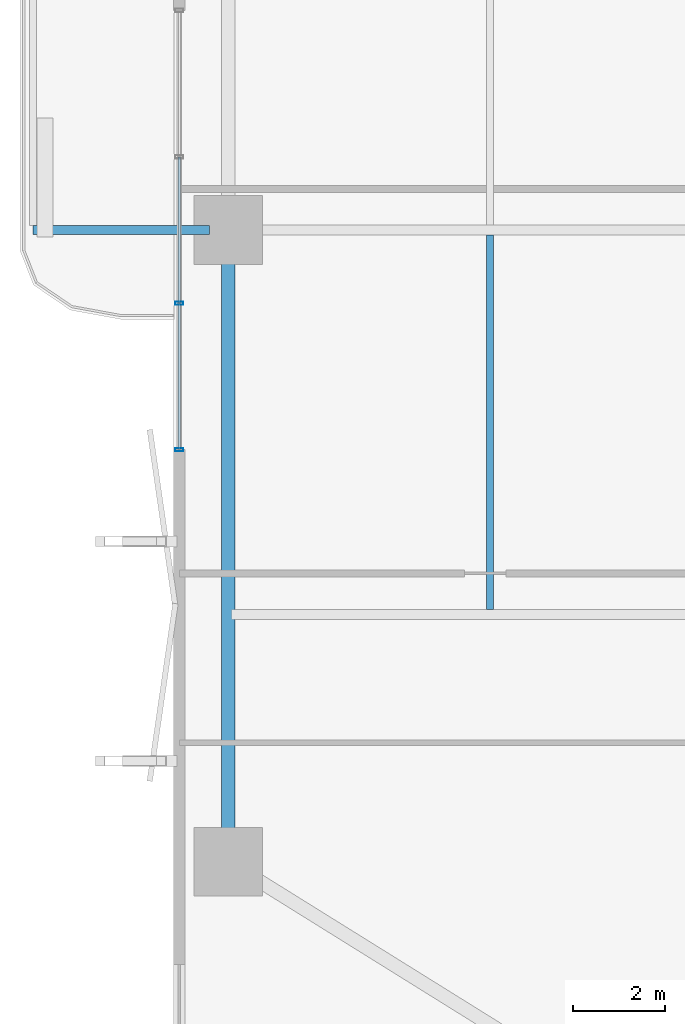
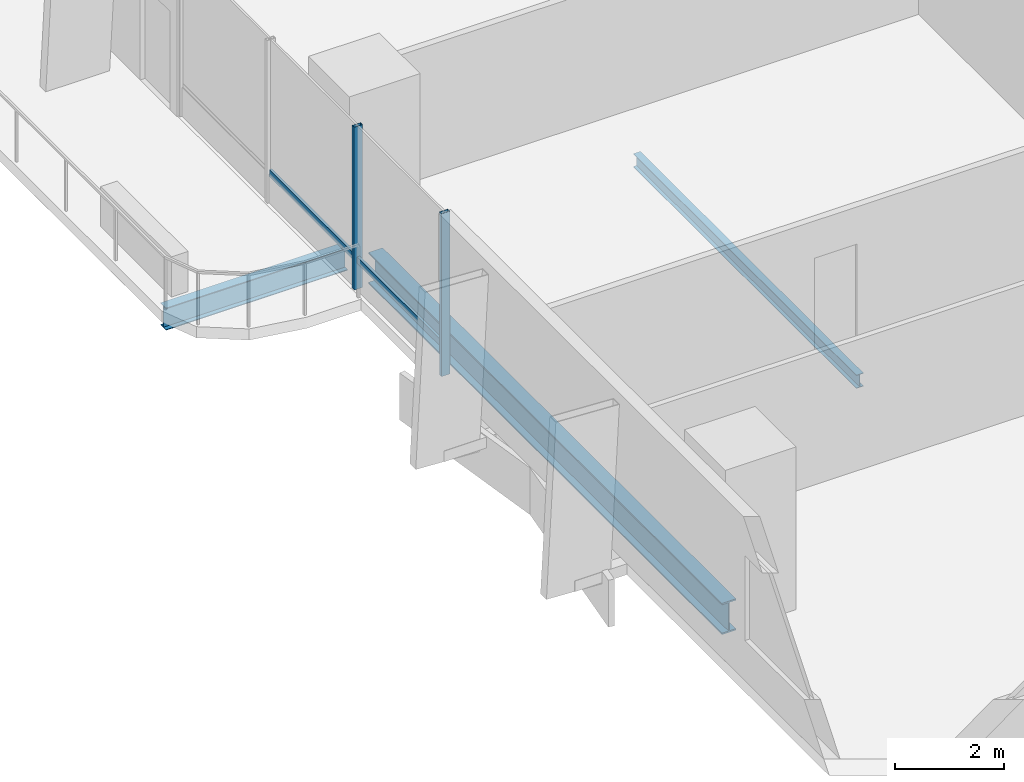
# One storey, part 4 of 23: 4 members, 3 beams, 1 element without a shape of its own.
"""IFC4 building model written with IfcOpenShell, lengths in metres."""

from ifc_helpers import new_model, si_unit, direction, frame, origin, origin_2d, place, context, subcontext, project, spatial, hollow_rectangle, i_section, extrude, material, layer, layer_set, material_profile, profile_set, type_object, element, aggregate, save


model = new_model("IFC4")

# Units and contexts
model_context = context("Model", 3, precision=1e-05, world=origin(), true_north=direction((0.0, 1.0)))
body_context = subcontext(model_context, "Body", "Model", "MODEL_VIEW")
ifc_project = project(units=[si_unit("LENGTHUNIT", "METRE"), si_unit("AREAUNIT", "SQUARE_METRE"), si_unit("VOLUMEUNIT", "CUBIC_METRE"), si_unit("PLANEANGLEUNIT", "RADIAN"), si_unit("MASSUNIT", "GRAM", prefix="KILO")], contexts=[model_context])

# Site, building, storey
site_placement = place(None, origin())
site = spatial("IfcSite", under=ifc_project, at=site_placement, CompositionType="ELEMENT")
building_placement = place(site_placement, origin())
building = spatial("IfcBuilding", under=site, at=building_placement, Name="Belovzor Exchange Tower", CompositionType="ELEMENT")
storey_placement = place(building_placement, frame((0.0, 0.0, 76.800048828125)))
storey = spatial("IfcBuildingStorey", under=building, at=storey_placement, Name="L18", CompositionType="ELEMENT", Elevation=76.800048828125)

# Beams
ifc_material_1 = material(Name="Steel S355", Category="steel")
ifc_material_profile_1 = material_profile(ifc_material_1, i_section(OverallWidth=0.199951171875, OverallDepth=0.5, WebThickness=0.01025390625, FlangeThickness=0.01611328125, at=origin_2d()))
ifc_profile_set_1 = profile_set([ifc_material_profile_1], Name="Steel S355")
beam_type_1 = type_object("IfcBeamType", Name="Planted Balcony Cantilever Beam IPE 500", PredefinedType="BEAM", material=ifc_profile_set_1)
beam_1_placement = place(storey_placement, frame((1.68798828125, 28.800048828125, -0.5), z_axis=(-1.0, 0.0, 0.0), x_axis=(0.0, -1.0, 0.0)))
element("IfcBeam", 1, at=beam_1_placement, inside=storey, type_object=beam_type_1, Name="BC-500 Planted Balcony Cantilever Beam IPE 500", PredefinedType="BEAM", context=body_context, shape_type="SweptSolid", body=[
    extrude(i_section(OverallWidth=0.199951171875, OverallDepth=0.5, WebThickness=0.01025390625, FlangeThickness=0.01611328125, at=origin_2d()), origin(), (0.0, 0.0, 1.0), 3.85009765625),
])
ifc_material_2 = material(Name="Steel S355", Category="steel")
ifc_material_profile_2 = material_profile(ifc_material_2, i_section(OverallWidth=0.14990234375, OverallDepth=0.300048828125, WebThickness=0.007080078125, FlangeThickness=0.0107421875, at=origin_2d()))
ifc_profile_set_2 = profile_set([ifc_material_profile_2], Name="Steel S355")
beam_type_2 = type_object("IfcBeamType", Name="Secondary Trim Floor Joist IPE 300", PredefinedType="BEAM", material=ifc_profile_set_2)
beam_2_placement = place(storey_placement, frame((7.81494140625, 20.5048828125, -0.400146484375), z_axis=(0.0, 1.0, 0.0), x_axis=(-1.0, 0.0, 0.0)))
element("IfcBeam", 2, at=beam_2_placement, inside=storey, type_object=beam_type_2, Name="FJ-300 Secondary Trim Floor Joist IPE 300", PredefinedType="BEAM", context=body_context, shape_type="SweptSolid", body=[
    extrude(i_section(OverallWidth=0.14990234375, OverallDepth=0.300048828125, WebThickness=0.007080078125, FlangeThickness=0.0107421875, at=origin_2d()), origin(), (0.0, 0.0, 1.0), 8.190185546875),
])

# Curtain wall, members
ifc_material_3 = material(Name="Anodised Aluminium Framing", Category="aluminium")
ifc_layer = layer(ifc_material_3, 0.179931640625)
ifc_layer_set = layer_set([ifc_layer], Name="Anodised Aluminium Framing")
curtain_wall_type = type_object("IfcCurtainWallType", Name="Recessed Loggia Low-Iron Triple-Glazed Curtain Wall", PredefinedType="NOTDEFINED", material=ifc_layer_set)
curtain_wall_placement = place(storey_placement, origin())
curtain_wall = element("IfcCurtainWall", 3, at=curtain_wall_placement, inside=storey, type_object=curtain_wall_type, Name="CW3 Recessed Loggia Low-Iron Triple-Glazed Curtain Wall L18", PredefinedType="NOTDEFINED")
ifc_material_4 = material(Name="Steel S355", Category="steel")
ifc_material_profile_3 = material_profile(ifc_material_4, hollow_rectangle(XDim=0.074951171875, YDim=0.179931640625, WallThickness=0.0048828125, at=origin_2d()))
ifc_profile_set_3 = profile_set([ifc_material_profile_3], Name="Steel S355")
member_type_1 = type_object("IfcMemberType", Name="Thermally Broken Curtain Wall Mullion 180x75", PredefinedType="MULLION", material=ifc_profile_set_3)
member_1_placement = place(storey_placement, frame((1.030029296875, 24.0, 0.0), z_axis=(0.0, 0.0, 1.0), x_axis=(0.0, 1.0, 0.0)))
member_1 = element("IfcMember", 4, at=member_1_placement, type_object=member_type_1, Name="CW-M180 Curtain Wall Mullion 1", PredefinedType="MULLION", context=body_context, shape_type="SweptSolid", body=[
    extrude(hollow_rectangle(XDim=0.074951171875, YDim=0.179931640625, WallThickness=0.0048828125, at=origin_2d()), origin(), (0.0, 0.0, 1.0), 3.64990234375),
])
member_2_placement = place(storey_placement, frame((1.030029296875, 27.199951171875, 0.0), z_axis=(0.0, 0.0, 1.0), x_axis=(0.0, 1.0, 0.0)))
member_2 = element("IfcMember", 5, at=member_2_placement, type_object=member_type_1, Name="CW-M180 Curtain Wall Mullion 2", PredefinedType="MULLION", context=body_context, shape_type="SweptSolid", body=[
    extrude(hollow_rectangle(XDim=0.074951171875, YDim=0.179931640625, WallThickness=0.0048828125, at=origin_2d()), origin(), (0.0, 0.0, 1.0), 3.64990234375),
])
ifc_material_5 = material(Name="Steel S355", Category="steel")
ifc_material_profile_4 = material_profile(ifc_material_5, hollow_rectangle(XDim=0.06005859375, YDim=0.14990234375, WallThickness=0.00390625, at=origin_2d()))
ifc_profile_set_4 = profile_set([ifc_material_profile_4], Name="Steel S355")
member_type_2 = type_object("IfcMemberType", Name="Thermally Broken Curtain Wall Transom 150x60", PredefinedType="USERDEFINED", material=ifc_profile_set_4)
member_3_placement = place(storey_placement, frame((1.030029296875, 24.008056640625, 0.64990234375), z_axis=(0.0, 1.0, 0.0), x_axis=(-1.0, 0.0, 0.0)))
member_3 = element("IfcMember", 6, at=member_3_placement, type_object=member_type_2, Name="CW-T150 Curtain Wall Transom 1", ObjectType="TRANSOM", PredefinedType="USERDEFINED", context=body_context, shape_type="SweptSolid", body=[
    extrude(hollow_rectangle(XDim=0.06005859375, YDim=0.14990234375, WallThickness=0.00390625, at=origin_2d()), origin(), (0.0, 0.0, 1.0), 3.183837890625),
])
member_4_placement = place(storey_placement, frame((1.030029296875, 27.2080078125, 0.64990234375), z_axis=(0.0, 1.0, 0.0), x_axis=(-1.0, 0.0, 0.0)))
member_4 = element("IfcMember", 7, at=member_4_placement, type_object=member_type_2, Name="CW-T150 Curtain Wall Transom 2", ObjectType="TRANSOM", PredefinedType="USERDEFINED", context=body_context, shape_type="SweptSolid", body=[
    extrude(hollow_rectangle(XDim=0.06005859375, YDim=0.14990234375, WallThickness=0.00390625, at=origin_2d()), origin(), (0.0, 0.0, 1.0), 3.18408203125),
])
aggregate(curtain_wall, [member_1, member_2, member_3, member_4])

# Beam
ifc_material_6 = material(Name="Steel S355", Category="steel")
ifc_material_profile_5 = material_profile(ifc_material_6, i_section(OverallWidth=0.300048828125, OverallDepth=0.699951171875, WebThickness=0.01708984375, FlangeThickness=0.031982421875, at=origin_2d()))
ifc_profile_set_5 = profile_set([ifc_material_profile_5], Name="Steel S355")
beam_type_3 = type_object("IfcBeamType", Name="Zone 1 Primary Perimeter Girder HEB 700", PredefinedType="BEAM", material=ifc_profile_set_5)
beam_3_placement = place(storey_placement, frame((2.10009765625, 28.386962890625, -0.60009765625), z_axis=(0.0, -1.0, 0.0), x_axis=(1.0, 0.0, 0.0)))
element("IfcBeam", 8, at=beam_3_placement, inside=storey, type_object=beam_type_3, Name="FG-Z1 Zone 1 Primary Perimeter Girder HEB 700", PredefinedType="BEAM", context=body_context, shape_type="SweptSolid", body=[
    extrude(i_section(OverallWidth=0.300048828125, OverallDepth=0.699951171875, WebThickness=0.01708984375, FlangeThickness=0.031982421875, at=origin_2d()), origin(), (0.0, 0.0, 1.0), 12.974853515625),
])

save(model, "model.ifc")
